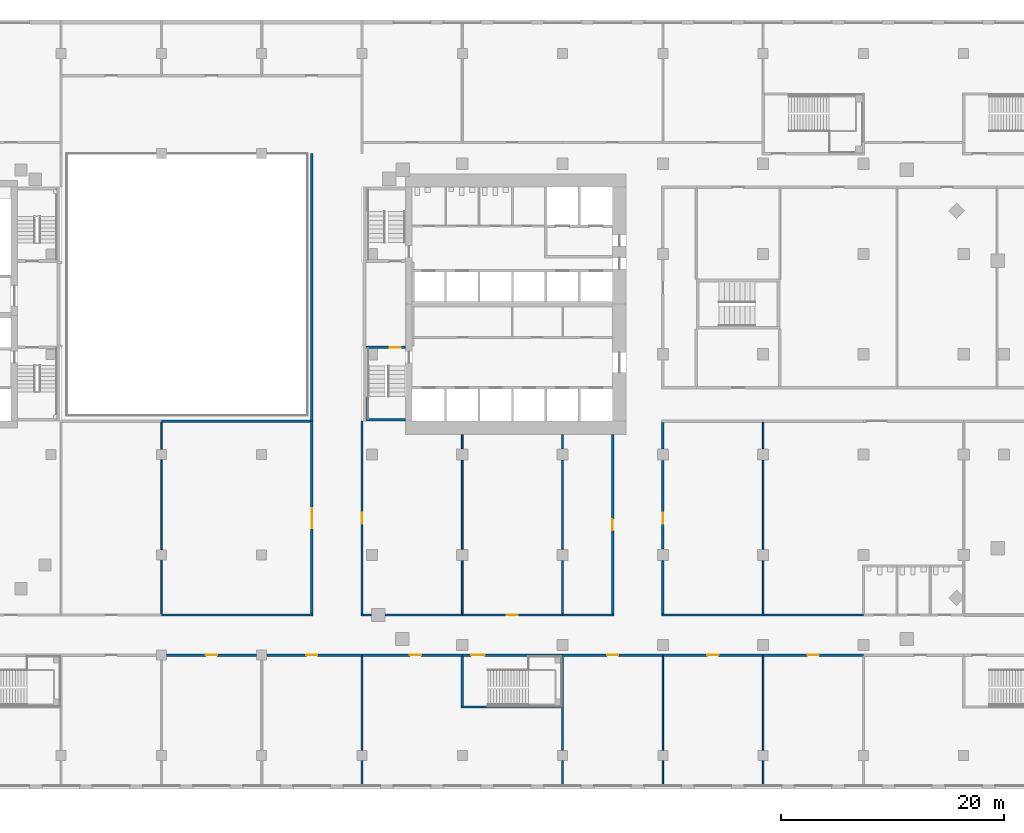
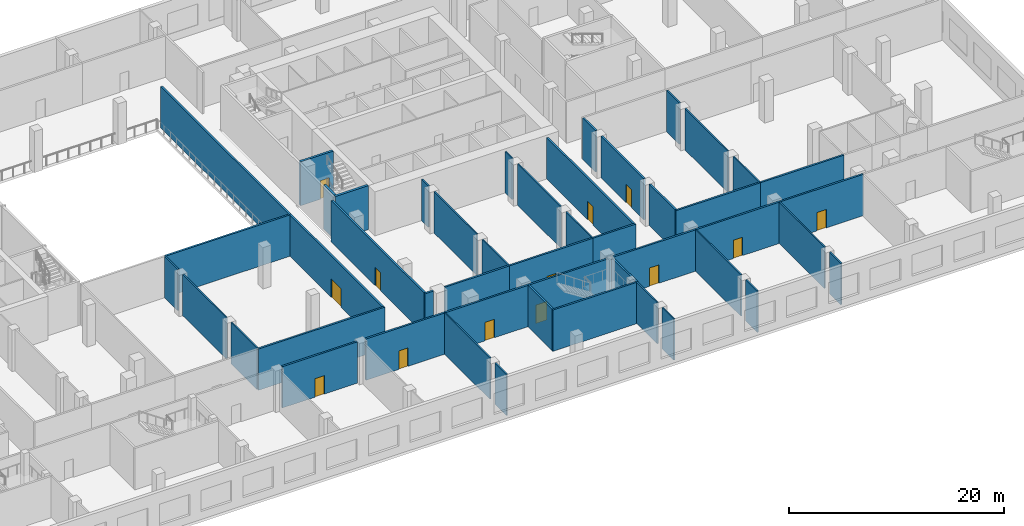
# One storey, part 9 of 21: 48 walls, 13 doors, 13 openings.
"""IFC4 building model written with IfcOpenShell, lengths in metres."""

import ifcopenshell
import ifcopenshell.guid

model = None  # the IFC model being written
_history = None  # IfcOwnerHistory: only IFC2X3 demands one
_inside = {}  # id of a spatial element -> (the spatial element, [elements in it])
_under = {}  # id of a project, library or spatial element -> (it, [spatial elements below it])
_declared = {}  # id of a project -> (the project, [libraries it declares])
_typed = {}  # id of a type object -> (the type object, [elements of that type])
_made_of = {}  # id of a material, layer set ... -> (it, [elements and type objects made of it])


def new_model(schema):
    """Start an empty IFC model of exactly this schema.

    Asked for "IFC4X3", IfcOpenShell would pick the latest addendum, in which some entities
    have other attributes; the version numbers below select the first issue.
    IFC2X3 requires an IfcOwnerHistory on every rooted entity: one is made here for all.
    """
    global model, _history
    if schema == "IFC4X3":
        model = ifcopenshell.file(schema_version=(4, 3, 0, 0))
    else:
        model = ifcopenshell.file(schema=schema)
    _inside.clear()
    _under.clear()
    _declared.clear()
    _typed.clear()
    _made_of.clear()
    _history = None
    if model.schema == "IFC2X3":
        org = make("IfcOrganization", Name="unknown")
        user = make(
            "IfcPersonAndOrganization",
            ThePerson=make("IfcPerson", FamilyName="unknown"),
            TheOrganization=org,
        )
        app = make(
            "IfcApplication",
            ApplicationDeveloper=org,
            Version="unknown",
            ApplicationFullName="unknown",
            ApplicationIdentifier="unknown",
        )
        _history = make(
            "IfcOwnerHistory",
            OwningUser=user,
            OwningApplication=app,
            ChangeAction="ADDED",
            CreationDate=0,
        )
    return model


def make(cls, **values):
    """One entity of the class cls with the attributes given. An attribute that is None is left unset."""
    return model.create_entity(
        cls, **{name: value for name, value in values.items() if value is not None}
    )


def rooted(cls, **values):
    """An entity with a GlobalId (a new one), such as an element, a storey or a relation."""
    return make(cls, GlobalId=ifcopenshell.guid.new(), OwnerHistory=_history, **values)


def si_unit(unit_type, name, prefix=None):
    """IfcSIUnit, for example si_unit("LENGTHUNIT", "METRE", prefix="MILLI")."""
    return make("IfcSIUnit", UnitType=unit_type, Prefix=prefix, Name=name)


def assignment(units):
    """IfcUnitAssignment: the units of a project."""
    return None if units is None else make("IfcUnitAssignment", Units=units)


def point(xyz):
    """IfcCartesianPoint."""
    return None if xyz is None else make("IfcCartesianPoint", Coordinates=xyz)


def direction(xyz):
    """IfcDirection."""
    return None if xyz is None else make("IfcDirection", DirectionRatios=xyz)


def frame(location, z_axis=None, x_axis=None):
    """IfcAxis2Placement3D, a coordinate frame: its origin and axes. An axis left out is left unset."""
    return make(
        "IfcAxis2Placement3D",
        Location=point(location),
        Axis=direction(z_axis),
        RefDirection=direction(x_axis),
    )


def frame_2d(location, x_axis=None):
    """IfcAxis2Placement2D, a coordinate frame in the plane: its origin and x axis."""
    return make(
        "IfcAxis2Placement2D", Location=point(location), RefDirection=direction(x_axis)
    )


def origin():
    """The frame at (0, 0, 0) with its axes left unset."""
    return frame((0.0, 0.0, 0.0))


def origin_with_axes():
    """The frame at (0, 0, 0) with the z axis (0, 0, 1) and the x axis (1, 0, 0) written out."""
    return frame((0.0, 0.0, 0.0), z_axis=(0.0, 0.0, 1.0), x_axis=(1.0, 0.0, 0.0))


def place(relative_to, where):
    """IfcLocalPlacement: puts the frame where relative to a parent placement (None: the world)."""
    return make(
        "IfcLocalPlacement", PlacementRelTo=relative_to, RelativePlacement=where
    )


def context(
    kind, dimensions, precision=None, world=None, true_north=None, identifier=None
):
    """IfcGeometricRepresentationContext, for example the 3D "Model" context."""
    return make(
        "IfcGeometricRepresentationContext",
        ContextIdentifier=identifier,
        ContextType=kind,
        CoordinateSpaceDimension=dimensions,
        Precision=precision,
        WorldCoordinateSystem=world,
        TrueNorth=true_north,
    )


def subcontext(parent, identifier, kind, view, scale=None):
    """IfcGeometricRepresentationSubContext, for example "Body" below "Model"."""
    return make(
        "IfcGeometricRepresentationSubContext",
        ContextIdentifier=identifier,
        ContextType=kind,
        ParentContext=parent,
        TargetScale=scale,
        TargetView=view,
    )


def project(units=None, contexts=None):
    """IfcProject with its units and contexts."""
    return rooted(
        "IfcProject",
        Name="project",
        RepresentationContexts=contexts,
        UnitsInContext=assignment(units),
    )


def spatial(cls, under=None, at=None, **own):
    """A site, building, storey or space (cls), placed at a placement, below another one or the project."""
    s = rooted(cls, ObjectPlacement=at, **own)
    if under is not None:
        _under.setdefault(under.id(), (under, []))[1].append(s)
    return s


def profile(cls, at=None, kind="AREA", **sizes):
    """A parametric profile (cls). Its sizes go by their IFC names, for example OverallWidth=200.0."""
    return make(cls, ProfileType=kind, Position=at, **sizes)


def rectangle(**sizes):
    """IfcRectangleProfileDef."""
    return profile("IfcRectangleProfileDef", **sizes)


def extrude(swept, where, along, depth):
    """IfcExtrudedAreaSolid: the profile swept, set in the frame where, extruded along a direction by depth."""
    return make(
        "IfcExtrudedAreaSolid",
        SweptArea=swept,
        Position=where,
        ExtrudedDirection=direction(along),
        Depth=depth,
    )


def shape(context_of_items, identifier, shape_type, items):
    """IfcShapeRepresentation: the items that make up one representation, for example the "Body"."""
    return make(
        "IfcShapeRepresentation",
        ContextOfItems=context_of_items,
        RepresentationIdentifier=identifier,
        RepresentationType=shape_type,
        Items=items,
    )


def material(Name=None, Category=None):
    """IfcMaterial."""
    return make("IfcMaterial", Name=Name, Category=Category)


def layer(
    of_material, thickness, ventilated=None, Name=None, Category=None, Priority=None
):
    """IfcMaterialLayer: one layer of a wall or slab, of a material (None: an air gap)."""
    return make(
        "IfcMaterialLayer",
        Material=of_material,
        LayerThickness=thickness,
        IsVentilated=ventilated,
        Name=Name,
        Category=Category,
        Priority=Priority,
    )


def layer_set(layers, Name=None):
    """IfcMaterialLayerSet."""
    return make("IfcMaterialLayerSet", MaterialLayers=layers, LayerSetName=Name)


def made_of(thing, what):
    """Note that an element or type object is made of a material, layer set ...; save() writes the relation."""
    if what is not None:
        _made_of.setdefault(what.id(), (what, []))[1].append(thing)
    return thing


def type_object(cls, material=None, **own):
    """A type object (cls), such as IfcWallType, which elements share."""
    return made_of(rooted(cls, **own), material)


def element(
    cls,
    number,
    at=None,
    inside=None,
    cuts=None,
    type_object=None,
    material=None,
    context=None,
    identifier="Body",
    shape_type=None,
    held_by="IfcProductDefinitionShape",
    body=None,
    shapes=None,
    **own,
):
    """One element of the class cls, such as IfcWall. Its Tag is "e" and its number.

    at: its placement. inside: the storey or other place that contains it. cuts: it is an
    opening in that element (IfcRelVoidsElement). A single representation is given by context,
    identifier, shape_type and body (its items); several are given by shapes. held_by: the class
    of the entity that holds the representations. save() writes the other relations.
    """
    e = rooted(cls, Tag="e%d" % number, ObjectPlacement=at, **own)
    if body is not None:
        shapes = [shape(context, identifier, shape_type, body)]
    if shapes is not None:
        e.Representation = make(held_by, Representations=shapes)
    if inside is not None:
        _inside.setdefault(inside.id(), (inside, []))[1].append(e)
    if cuts is not None:
        rooted(
            "IfcRelVoidsElement", RelatingBuildingElement=cuts, RelatedOpeningElement=e
        )
    if type_object is not None:
        _typed.setdefault(type_object.id(), (type_object, []))[1].append(e)
    return made_of(e, material)


def fill(opening, filler):
    """IfcRelFillsElement: the door or window that sits in an opening."""
    return rooted(
        "IfcRelFillsElement",
        RelatingOpeningElement=opening,
        RelatedBuildingElement=filler,
    )


def aggregate(whole, parts):
    """IfcRelAggregates: a whole, such as a stair, and the parts it consists of."""
    return rooted("IfcRelAggregates", RelatingObject=whole, RelatedObjects=parts)


def save(model, path):
    """Write the relations noted so far, then the file.

    IfcRelAggregates (storeys below a building ...), IfcRelContainedInSpatialStructure (elements
    in a storey), IfcRelDefinesByType, IfcRelAssociatesMaterial and IfcRelDeclares: one each for
    every whole, place, type object, material and project.
    """
    for whole, parts in _under.values():
        aggregate(whole, parts)
    for where, things in _inside.values():
        rooted(
            "IfcRelContainedInSpatialStructure",
            RelatedElements=things,
            RelatingStructure=where,
        )
    for kind, things in _typed.values():
        rooted("IfcRelDefinesByType", RelatedObjects=things, RelatingType=kind)
    for what, things in _made_of.values():
        rooted("IfcRelAssociatesMaterial", RelatedObjects=things, RelatingMaterial=what)
    for by, libraries in _declared.values():
        rooted("IfcRelDeclares", RelatingContext=by, RelatedDefinitions=libraries)
    model.write(path)


model = new_model("IFC4")

# Units and contexts
model_context = context("Model", 3, precision=1e-05, world=origin(), true_north=direction((0.0, 1.0)))
body_context = subcontext(model_context, "Body", "Model", "MODEL_VIEW")
ifc_project = project(units=[si_unit("LENGTHUNIT", "METRE"), si_unit("AREAUNIT", "SQUARE_METRE"), si_unit("VOLUMEUNIT", "CUBIC_METRE"), si_unit("PLANEANGLEUNIT", "RADIAN"), si_unit("MASSUNIT", "GRAM", prefix="KILO")], contexts=[model_context])

# Site, building, storey
site_placement = place(None, origin())
site = spatial("IfcSite", under=ifc_project, at=site_placement, CompositionType="ELEMENT")
building_placement = place(site_placement, origin())
building = spatial("IfcBuilding", under=site, at=building_placement, Name="Cinnabar Reach Civic Tower", CompositionType="ELEMENT")
storey_placement = place(building_placement, frame((0.0, 0.0, 16.0)))
storey = spatial("IfcBuildingStorey", under=building, at=storey_placement, Name="L03", CompositionType="ELEMENT", Elevation=16.0)

# Wall, opening, door
ifc_material_1 = material(Name="Concrete blockwork", Category="masonry")
ifc_layer_1 = layer(ifc_material_1, 0.2)
ifc_layer_set_1 = layer_set([ifc_layer_1], Name="Podium masonry corridor wall 200 EI 120")
wall_type_1 = type_object("IfcWallType", Name="Podium masonry corridor wall 200 EI 120", PredefinedType="PARTITIONING", material=ifc_layer_set_1)
wall_1_placement = place(storey_placement, origin_with_axes())
wall_1 = element("IfcWall", 1, at=wall_1_placement, inside=storey, type_object=wall_type_1, Name="Wall L03 50", PredefinedType="PARTITIONING", context=body_context, shape_type="SweptSolid", body=[
    extrude(rectangle(XDim=9.0, YDim=0.2, at=frame_2d((4.5, 0.0))), origin(), (0.0, 0.0, 1.0), 4.7),
])
opening_1_placement = place(wall_1_placement, frame((4.3, 0.0, 0.0)))
opening_1 = element("IfcOpeningElement", 2, at=opening_1_placement, cuts=wall_1, Name="Opening D1173", PredefinedType="OPENING", context=body_context, shape_type="SweptSolid", body=[
    extrude(rectangle(XDim=1.0, YDim=2.1, at=frame_2d((0.5, 1.05))), frame((0.0, 0.11, 0.0), z_axis=(0.0, -1.0, 0.0), x_axis=(1.0, 0.0, 0.0)), (0.0, 0.0, 1.0), 0.22),
])
ifc_material_2 = material(Name="Painted steel door leaf", Category="steel")
door_type_1 = type_object("IfcDoorType", Name="Podium single door 1000x2100", OperationType="SINGLE_SWING_LEFT", PredefinedType="DOOR", material=ifc_material_2)
door_1_placement = place(opening_1_placement, frame((1.0, 0.0, 0.0), z_axis=(0.0, 0.0, 1.0), x_axis=(-1.0, 0.0, 0.0)))
door_1 = element("IfcDoor", 3, at=door_1_placement, inside=storey, type_object=door_type_1, Name="Door D1173", OperationType="SINGLE_SWING_RIGHT", OverallHeight=2.1, OverallWidth=1.0, PredefinedType="DOOR", context=body_context, shape_type="SweptSolid", body=[
    extrude(rectangle(XDim=1.0, YDim=2.1, at=frame_2d((0.5, 1.05))), frame((0.0, 0.025, 0.0), z_axis=(0.0, -1.0, 0.0), x_axis=(1.0, 0.0, 0.0)), (0.0, 0.0, 1.0), 0.05),
])
fill(opening_1, door_1)

wall_2_placement = place(storey_placement, frame((18.0, 0.0, 0.0), z_axis=(0.0, 0.0, 1.0), x_axis=(1.0, 0.0, 0.0)))
wall_2 = element("IfcWall", 4, at=wall_2_placement, inside=storey, type_object=wall_type_1, Name="Wall L03 51", PredefinedType="PARTITIONING", context=body_context, shape_type="SweptSolid", body=[
    extrude(rectangle(XDim=9.0, YDim=0.2, at=frame_2d((4.5, 0.0))), origin(), (0.0, 0.0, 1.0), 4.7),
])
opening_2_placement = place(wall_2_placement, frame((4.0, 0.0, 0.0)))
opening_2 = element("IfcOpeningElement", 5, at=opening_2_placement, cuts=wall_2, Name="Opening D1174", PredefinedType="OPENING", context=body_context, shape_type="SweptSolid", body=[
    extrude(rectangle(XDim=1.0, YDim=2.1, at=frame_2d((0.5, 1.05))), frame((0.0, 0.11, 0.0), z_axis=(0.0, -1.0, 0.0), x_axis=(1.0, 0.0, 0.0)), (0.0, 0.0, 1.0), 0.22),
])
door_2_placement = place(opening_2_placement, frame((1.0, 0.0, 0.0), z_axis=(0.0, 0.0, 1.0), x_axis=(-1.0, 0.0, 0.0)))
door_2 = element("IfcDoor", 6, at=door_2_placement, inside=storey, type_object=door_type_1, Name="Door D1174", OperationType="SINGLE_SWING_LEFT", OverallHeight=2.1, OverallWidth=1.0, PredefinedType="DOOR", context=body_context, shape_type="SweptSolid", body=[
    extrude(rectangle(XDim=1.0, YDim=2.1, at=frame_2d((0.5, 1.05))), frame((0.0, 0.025, 0.0), z_axis=(0.0, -1.0, 0.0), x_axis=(1.0, 0.0, 0.0)), (0.0, 0.0, 1.0), 0.05),
])
fill(opening_2, door_2)

wall_3_placement = place(storey_placement, frame((27.0, 0.0, 0.0), z_axis=(0.0, 0.0, 1.0), x_axis=(1.0, 0.0, 0.0)))
wall_3 = element("IfcWall", 7, at=wall_3_placement, inside=storey, type_object=wall_type_1, Name="Wall L03 52", PredefinedType="PARTITIONING", context=body_context, shape_type="SweptSolid", body=[
    extrude(rectangle(XDim=9.0, YDim=0.2, at=frame_2d((4.5, 0.0))), origin(), (0.0, 0.0, 1.0), 4.7),
])
opening_3_placement = place(wall_3_placement, frame((4.0, 0.0, 0.0)))
opening_3 = element("IfcOpeningElement", 8, at=opening_3_placement, cuts=wall_3, Name="Opening D1175", PredefinedType="OPENING", context=body_context, shape_type="SweptSolid", body=[
    extrude(rectangle(XDim=1.0, YDim=2.1, at=frame_2d((0.5, 1.05))), frame((0.0, 0.11, 0.0), z_axis=(0.0, -1.0, 0.0), x_axis=(1.0, 0.0, 0.0)), (0.0, 0.0, 1.0), 0.22),
])
door_3_placement = place(opening_3_placement, frame((1.0, 0.0, 0.0), z_axis=(0.0, 0.0, 1.0), x_axis=(-1.0, 0.0, 0.0)))
door_3 = element("IfcDoor", 9, at=door_3_placement, inside=storey, type_object=door_type_1, Name="Door D1175", OperationType="SINGLE_SWING_LEFT", OverallHeight=2.1, OverallWidth=1.0, PredefinedType="DOOR", context=body_context, shape_type="SweptSolid", body=[
    extrude(rectangle(XDim=1.0, YDim=2.1, at=frame_2d((0.5, 1.05))), frame((0.0, 0.025, 0.0), z_axis=(0.0, -1.0, 0.0), x_axis=(1.0, 0.0, 0.0)), (0.0, 0.0, 1.0), 0.05),
])
fill(opening_3, door_3)

wall_4_placement = place(storey_placement, frame((36.0, 0.0, 0.0), z_axis=(0.0, 0.0, 1.0), x_axis=(1.0, 0.0, 0.0)))
wall_4 = element("IfcWall", 10, at=wall_4_placement, inside=storey, type_object=wall_type_1, Name="Wall L03 53", PredefinedType="PARTITIONING", context=body_context, shape_type="SweptSolid", body=[
    extrude(rectangle(XDim=9.0, YDim=0.2, at=frame_2d((4.5, 0.0))), origin(), (0.0, 0.0, 1.0), 4.7),
])
opening_4_placement = place(wall_4_placement, frame((4.0, 0.0, 0.0)))
opening_4 = element("IfcOpeningElement", 11, at=opening_4_placement, cuts=wall_4, Name="Opening D1176", PredefinedType="OPENING", context=body_context, shape_type="SweptSolid", body=[
    extrude(rectangle(XDim=1.0, YDim=2.1, at=frame_2d((0.5, 1.05))), frame((0.0, 0.11, 0.0), z_axis=(0.0, -1.0, 0.0), x_axis=(1.0, 0.0, 0.0)), (0.0, 0.0, 1.0), 0.22),
])
door_4_placement = place(opening_4_placement, frame((1.0, 0.0, 0.0), z_axis=(0.0, 0.0, 1.0), x_axis=(-1.0, 0.0, 0.0)))
door_4 = element("IfcDoor", 12, at=door_4_placement, inside=storey, type_object=door_type_1, Name="Door D1176", OperationType="SINGLE_SWING_RIGHT", OverallHeight=2.1, OverallWidth=1.0, PredefinedType="DOOR", context=body_context, shape_type="SweptSolid", body=[
    extrude(rectangle(XDim=1.0, YDim=2.1, at=frame_2d((0.5, 1.05))), frame((0.0, 0.025, 0.0), z_axis=(0.0, -1.0, 0.0), x_axis=(1.0, 0.0, 0.0)), (0.0, 0.0, 1.0), 0.05),
])
fill(opening_4, door_4)

# Walls
wall_5_placement = place(storey_placement, frame((-0.1, 3.6, 0.0), z_axis=(0.0, 0.0, 1.0), x_axis=(1.0, 0.0, 0.0)))
element("IfcWall", 13, at=wall_5_placement, inside=storey, type_object=wall_type_1, Name="Wall L03 55", PredefinedType="PARTITIONING", context=body_context, shape_type="SweptSolid", body=[
    extrude(rectangle(XDim=0.9331, YDim=0.2, at=frame_2d((0.4666, 0.0))), origin(), (0.0, 0.0, 1.0), 4.7),
])
wall_6_placement = place(storey_placement, frame((2.0731, 3.6, 0.0), z_axis=(0.0, 0.0, 1.0), x_axis=(1.0, 0.0, 0.0)))
element("IfcWall", 14, at=wall_6_placement, inside=storey, type_object=wall_type_1, Name="Wall L03 56", PredefinedType="PARTITIONING", context=body_context, shape_type="SweptSolid", body=[
    extrude(rectangle(XDim=6.9269, YDim=0.2, at=frame_2d((3.4634, 0.0))), origin(), (0.0, 0.0, 1.0), 4.7),
])

# Wall, opening, door
wall_7_placement = place(storey_placement, frame((9.0, 3.6, 0.0), z_axis=(0.0, 0.0, 1.0), x_axis=(1.0, 0.0, 0.0)))
wall_7 = element("IfcWall", 15, at=wall_7_placement, inside=storey, type_object=wall_type_1, Name="Wall L03 57", PredefinedType="PARTITIONING", context=body_context, shape_type="SweptSolid", body=[
    extrude(rectangle(XDim=9.0, YDim=0.2, at=frame_2d((4.5, 0.0))), origin(), (0.0, 0.0, 1.0), 4.7),
])
opening_5_placement = place(wall_7_placement, frame((4.0, 0.0, 0.0)))
opening_5 = element("IfcOpeningElement", 16, at=opening_5_placement, cuts=wall_7, Name="Opening D1185", PredefinedType="OPENING", context=body_context, shape_type="SweptSolid", body=[
    extrude(rectangle(XDim=1.0, YDim=2.1, at=frame_2d((0.5, 1.05))), frame((0.0, 0.11, 0.0), z_axis=(0.0, -1.0, 0.0), x_axis=(1.0, 0.0, 0.0)), (0.0, 0.0, 1.0), 0.22),
])
door_5_placement = place(opening_5_placement, origin())
door_5 = element("IfcDoor", 17, at=door_5_placement, inside=storey, type_object=door_type_1, Name="Door D1185", OperationType="SINGLE_SWING_LEFT", OverallHeight=2.1, OverallWidth=1.0, PredefinedType="DOOR", context=body_context, shape_type="SweptSolid", body=[
    extrude(rectangle(XDim=1.0, YDim=2.1, at=frame_2d((0.5, 1.05))), frame((0.0, 0.025, 0.0), z_axis=(0.0, -1.0, 0.0), x_axis=(1.0, 0.0, 0.0)), (0.0, 0.0, 1.0), 0.05),
])
fill(opening_5, door_5)

# Walls
wall_8_placement = place(storey_placement, frame((18.0, 3.6, 0.0), z_axis=(0.0, 0.0, 1.0), x_axis=(1.0, 0.0, 0.0)))
element("IfcWall", 18, at=wall_8_placement, inside=storey, type_object=wall_type_1, Name="Wall L03 58", PredefinedType="PARTITIONING", context=body_context, shape_type="SweptSolid", body=[
    extrude(rectangle(XDim=4.6, YDim=0.2, at=frame_2d((2.3, 0.0))), origin(), (0.0, 0.0, 1.0), 4.7),
])
wall_9_placement = place(storey_placement, frame((26.9, 3.6, 0.0), z_axis=(0.0, 0.0, 1.0), x_axis=(1.0, 0.0, 0.0)))
element("IfcWall", 19, at=wall_9_placement, inside=storey, type_object=wall_type_1, Name="Wall L03 59", PredefinedType="PARTITIONING", context=body_context, shape_type="SweptSolid", body=[
    extrude(rectangle(XDim=9.1, YDim=0.2, at=frame_2d((4.55, 0.0))), origin(), (0.0, 0.0, 1.0), 4.7),
])
wall_10_placement = place(storey_placement, frame((36.0, 3.6, 0.0), z_axis=(0.0, 0.0, 1.0), x_axis=(1.0, 0.0, 0.0)))
element("IfcWall", 20, at=wall_10_placement, inside=storey, type_object=wall_type_1, Name="Wall L03 60", PredefinedType="PARTITIONING", context=body_context, shape_type="SweptSolid", body=[
    extrude(rectangle(XDim=9.0, YDim=0.2, at=frame_2d((4.5, 0.0))), origin(), (0.0, 0.0, 1.0), 4.7),
])

# Wall, opening, door
wall_11_placement = place(storey_placement, frame((22.5, 3.7, 0.0), z_axis=(0.0, 0.0, 1.0), x_axis=(0.0, 1.0, 0.0)))
wall_11 = element("IfcWall", 21, at=wall_11_placement, inside=storey, type_object=wall_type_1, Name="Wall L03 105", PredefinedType="PARTITIONING", context=body_context, shape_type="SweptSolid", body=[
    extrude(rectangle(XDim=16.1, YDim=0.2, at=frame_2d((8.05, 0.0))), origin(), (0.0, 0.0, 1.0), 4.7),
])
opening_6_placement = place(wall_11_placement, frame((7.5, 0.0, 0.0)))
opening_6 = element("IfcOpeningElement", 22, at=opening_6_placement, cuts=wall_11, Name="Opening D1186", PredefinedType="OPENING", context=body_context, shape_type="SweptSolid", body=[
    extrude(rectangle(XDim=1.0, YDim=2.1, at=frame_2d((0.5, 1.05))), frame((0.0, 0.11, 0.0), z_axis=(0.0, -1.0, 0.0), x_axis=(1.0, 0.0, 0.0)), (0.0, 0.0, 1.0), 0.22),
])
door_6_placement = place(opening_6_placement, origin())
door_6 = element("IfcDoor", 23, at=door_6_placement, inside=storey, type_object=door_type_1, Name="Door D1186", OperationType="SINGLE_SWING_RIGHT", OverallHeight=2.1, OverallWidth=1.0, PredefinedType="DOOR", context=body_context, shape_type="SweptSolid", body=[
    extrude(rectangle(XDim=1.0, YDim=2.1, at=frame_2d((0.5, 1.05))), frame((0.0, 0.025, 0.0), z_axis=(0.0, -1.0, 0.0), x_axis=(1.0, 0.0, 0.0)), (0.0, 0.0, 1.0), 0.05),
])
fill(opening_6, door_6)

# Wall
wall_12_placement = place(storey_placement, frame((27.0, 3.7, 0.0), z_axis=(0.0, 0.0, 1.0), x_axis=(0.0, 1.0, 0.0)))
element("IfcWall", 24, at=wall_12_placement, inside=storey, type_object=wall_type_1, Name="Wall L03 106", PredefinedType="PARTITIONING", context=body_context, shape_type="SweptSolid", body=[
    extrude(rectangle(XDim=4.78, YDim=0.2, at=frame_2d((2.39, 0.0))), origin(), (0.0, 0.0, 1.0), 4.7),
])

# Wall, opening, door
wall_13_placement = place(storey_placement, frame((27.0, 9.52, 0.0), z_axis=(0.0, 0.0, 1.0), x_axis=(0.0, 1.0, 0.0)))
wall_13 = element("IfcWall", 25, at=wall_13_placement, inside=storey, type_object=wall_type_1, Name="Wall L03 107", PredefinedType="PARTITIONING", context=body_context, shape_type="SweptSolid", body=[
    extrude(rectangle(XDim=7.96, YDim=0.2, at=frame_2d((3.98, 0.0))), origin(), (0.0, 0.0, 1.0), 4.7),
])
opening_7_placement = place(wall_13_placement, frame((2.28, 0.0, 0.0)))
opening_7 = element("IfcOpeningElement", 26, at=opening_7_placement, cuts=wall_13, Name="Opening D1187", PredefinedType="OPENING", context=body_context, shape_type="SweptSolid", body=[
    extrude(rectangle(XDim=1.0, YDim=2.1, at=frame_2d((0.5, 1.05))), frame((0.0, 0.11, 0.0), z_axis=(0.0, -1.0, 0.0), x_axis=(1.0, 0.0, 0.0)), (0.0, 0.0, 1.0), 0.22),
])
door_7_placement = place(opening_7_placement, frame((1.0, 0.0, 0.0), z_axis=(0.0, 0.0, 1.0), x_axis=(-1.0, 0.0, 0.0)))
door_7 = element("IfcDoor", 27, at=door_7_placement, inside=storey, type_object=door_type_1, Name="Door D1187", OperationType="SINGLE_SWING_RIGHT", OverallHeight=2.1, OverallWidth=1.0, PredefinedType="DOOR", context=body_context, shape_type="SweptSolid", body=[
    extrude(rectangle(XDim=1.0, YDim=2.1, at=frame_2d((0.5, 1.05))), frame((0.0, 0.025, 0.0), z_axis=(0.0, -1.0, 0.0), x_axis=(1.0, 0.0, 0.0)), (0.0, 0.0, 1.0), 0.05),
])
fill(opening_7, door_7)

# Walls
wall_14_placement = place(storey_placement, frame((27.0, 18.52, 0.0), z_axis=(0.0, 0.0, 1.0), x_axis=(0.0, 1.0, 0.0)))
element("IfcWall", 28, at=wall_14_placement, inside=storey, type_object=wall_type_1, Name="Wall L03 108", PredefinedType="PARTITIONING", context=body_context, shape_type="SweptSolid", body=[
    extrude(rectangle(XDim=2.38, YDim=0.2, at=frame_2d((1.19, 0.0))), origin(), (0.0, 0.0, 1.0), 4.7),
])
wall_15_placement = place(storey_placement, frame((-18.0, 3.6, 0.0), z_axis=(0.0, 0.0, 1.0), x_axis=(1.0, 0.0, 0.0)))
element("IfcWall", 29, at=wall_15_placement, inside=storey, type_object=wall_type_1, Name="Wall L03 122", PredefinedType="PARTITIONING", context=body_context, shape_type="SweptSolid", body=[
    extrude(rectangle(XDim=13.6, YDim=0.2, at=frame_2d((6.8, 0.0))), origin(), (0.0, 0.0, 1.0), 4.7),
])

# Wall, opening, door
wall_16_placement = place(storey_placement, frame((-17.53, 0.0, 0.0), z_axis=(0.0, 0.0, 1.0), x_axis=(1.0, 0.0, 0.0)))
wall_16 = element("IfcWall", 30, at=wall_16_placement, inside=storey, type_object=wall_type_1, Name="Wall L03 124", PredefinedType="PARTITIONING", context=body_context, shape_type="SweptSolid", body=[
    extrude(rectangle(XDim=8.06, YDim=0.2, at=frame_2d((4.03, 0.0))), origin(), (0.0, 0.0, 1.0), 4.7),
])
opening_8_placement = place(wall_16_placement, frame((3.53, 0.0, 0.0)))
opening_8 = element("IfcOpeningElement", 31, at=opening_8_placement, cuts=wall_16, Name="Opening D1168", PredefinedType="OPENING", context=body_context, shape_type="SweptSolid", body=[
    extrude(rectangle(XDim=1.0, YDim=2.1, at=frame_2d((0.5, 1.05))), frame((0.0, 0.11, 0.0), z_axis=(0.0, -1.0, 0.0), x_axis=(1.0, 0.0, 0.0)), (0.0, 0.0, 1.0), 0.22),
])
door_8_placement = place(opening_8_placement, frame((1.0, 0.0, 0.0), z_axis=(0.0, 0.0, 1.0), x_axis=(-1.0, 0.0, 0.0)))
door_8 = element("IfcDoor", 32, at=door_8_placement, inside=storey, type_object=door_type_1, Name="Door D1168", OperationType="SINGLE_SWING_LEFT", OverallHeight=2.1, OverallWidth=1.0, PredefinedType="DOOR", context=body_context, shape_type="SweptSolid", body=[
    extrude(rectangle(XDim=1.0, YDim=2.1, at=frame_2d((0.5, 1.05))), frame((0.0, 0.025, 0.0), z_axis=(0.0, -1.0, 0.0), x_axis=(1.0, 0.0, 0.0)), (0.0, 0.0, 1.0), 0.05),
])
fill(opening_8, door_8)

wall_17_placement = place(storey_placement, frame((-8.53, 0.0, 0.0), z_axis=(0.0, 0.0, 1.0), x_axis=(1.0, 0.0, 0.0)))
wall_17 = element("IfcWall", 33, at=wall_17_placement, inside=storey, type_object=wall_type_1, Name="Wall L03 125", PredefinedType="PARTITIONING", context=body_context, shape_type="SweptSolid", body=[
    extrude(rectangle(XDim=8.53, YDim=0.2, at=frame_2d((4.265, 0.0))), origin(), (0.0, 0.0, 1.0), 4.7),
])
opening_9_placement = place(wall_17_placement, frame((3.53, 0.0, 0.0)))
opening_9 = element("IfcOpeningElement", 34, at=opening_9_placement, cuts=wall_17, Name="Opening D1169", PredefinedType="OPENING", context=body_context, shape_type="SweptSolid", body=[
    extrude(rectangle(XDim=1.0, YDim=2.1, at=frame_2d((0.5, 1.05))), frame((0.0, 0.11, 0.0), z_axis=(0.0, -1.0, 0.0), x_axis=(1.0, 0.0, 0.0)), (0.0, 0.0, 1.0), 0.22),
])
door_9_placement = place(opening_9_placement, frame((1.0, 0.0, 0.0), z_axis=(0.0, 0.0, 1.0), x_axis=(-1.0, 0.0, 0.0)))
door_9 = element("IfcDoor", 35, at=door_9_placement, inside=storey, type_object=door_type_1, Name="Door D1169", OperationType="SINGLE_SWING_LEFT", OverallHeight=2.1, OverallWidth=1.0, PredefinedType="DOOR", context=body_context, shape_type="SweptSolid", body=[
    extrude(rectangle(XDim=1.0, YDim=2.1, at=frame_2d((0.5, 1.05))), frame((0.0, 0.025, 0.0), z_axis=(0.0, -1.0, 0.0), x_axis=(1.0, 0.0, 0.0)), (0.0, 0.0, 1.0), 0.05),
])
fill(opening_9, door_9)

# Wall
wall_18_placement = place(storey_placement, frame((-4.5, 21.0, 0.0), z_axis=(0.0, 0.0, 1.0), x_axis=(0.0, 1.0, 0.0)))
element("IfcWall", 36, at=wall_18_placement, inside=storey, type_object=wall_type_1, Name="Wall L03 126", PredefinedType="PARTITIONING", context=body_context, shape_type="SweptSolid", body=[
    extrude(rectangle(XDim=24.0, YDim=0.2, at=frame_2d((12.0, 0.0))), origin(), (0.0, 0.0, 1.0), 4.7),
])

# Wall, opening, door
wall_19_placement = place(storey_placement, frame((-4.5, 3.7, 0.0), z_axis=(0.0, 0.0, 1.0), x_axis=(0.0, 1.0, 0.0)))
wall_19 = element("IfcWall", 37, at=wall_19_placement, inside=storey, type_object=wall_type_1, Name="Wall L03 127", PredefinedType="PARTITIONING", context=body_context, shape_type="SweptSolid", body=[
    extrude(rectangle(XDim=17.3, YDim=0.2, at=frame_2d((8.65, 0.0))), origin(), (0.0, 0.0, 1.0), 4.7),
])
opening_10_placement = place(wall_19_placement, frame((7.7, 0.0, 0.0)))
opening_10 = element("IfcOpeningElement", 38, at=opening_10_placement, cuts=wall_19, Name="Opening D1166", PredefinedType="OPENING", context=body_context, shape_type="SweptSolid", body=[
    extrude(rectangle(XDim=1.8, YDim=2.1, at=frame_2d((0.9, 1.05))), frame((0.0, 0.11, 0.0), z_axis=(0.0, -1.0, 0.0), x_axis=(1.0, 0.0, 0.0)), (0.0, 0.0, 1.0), 0.22),
])
door_type_2 = type_object("IfcDoorType", Name="Podium double door 1800x2100", OperationType="DOUBLE_DOOR_SINGLE_SWING", PredefinedType="DOOR", material=ifc_material_2)
door_10_placement = place(opening_10_placement, origin())
door_10 = element("IfcDoor", 39, at=door_10_placement, inside=storey, type_object=door_type_2, Name="Door D1166", OperationType="DOUBLE_DOOR_SINGLE_SWING", OverallHeight=2.1, OverallWidth=1.8, PredefinedType="DOOR", context=body_context, shape_type="SweptSolid", body=[
    extrude(rectangle(XDim=1.8, YDim=2.1, at=frame_2d((0.9, 1.05))), frame((0.0, 0.025, 0.0), z_axis=(0.0, -1.0, 0.0), x_axis=(1.0, 0.0, 0.0)), (0.0, 0.0, 1.0), 0.05),
])
fill(opening_10, door_10)

wall_20_placement = place(storey_placement, frame((0.0, 3.7, 0.0), z_axis=(0.0, 0.0, 1.0), x_axis=(0.0, 1.0, 0.0)))
wall_20 = element("IfcWall", 40, at=wall_20_placement, inside=storey, type_object=wall_type_1, Name="Wall L03 128", PredefinedType="PARTITIONING", context=body_context, shape_type="SweptSolid", body=[
    extrude(rectangle(XDim=17.3, YDim=0.2, at=frame_2d((8.65, 0.0))), origin(), (0.0, 0.0, 1.0), 4.7),
])
opening_11_placement = place(wall_20_placement, frame((8.1, 0.0, 0.0)))
opening_11 = element("IfcOpeningElement", 41, at=opening_11_placement, cuts=wall_20, Name="Opening D1184", PredefinedType="OPENING", context=body_context, shape_type="SweptSolid", body=[
    extrude(rectangle(XDim=1.0, YDim=2.1, at=frame_2d((0.5, 1.05))), frame((0.0, 0.11, 0.0), z_axis=(0.0, -1.0, 0.0), x_axis=(1.0, 0.0, 0.0)), (0.0, 0.0, 1.0), 0.22),
])
door_11_placement = place(opening_11_placement, frame((1.0, 0.0, 0.0), z_axis=(0.0, 0.0, 1.0), x_axis=(-1.0, 0.0, 0.0)))
door_11 = element("IfcDoor", 42, at=door_11_placement, inside=storey, type_object=door_type_1, Name="Door D1184", OperationType="SINGLE_SWING_RIGHT", OverallHeight=2.1, OverallWidth=1.0, PredefinedType="DOOR", context=body_context, shape_type="SweptSolid", body=[
    extrude(rectangle(XDim=1.0, YDim=2.1, at=frame_2d((0.5, 1.05))), frame((0.0, 0.025, 0.0), z_axis=(0.0, -1.0, 0.0), x_axis=(1.0, 0.0, 0.0)), (0.0, 0.0, 1.0), 0.05),
])
fill(opening_11, door_11)

# Walls
wall_21_placement = place(storey_placement, frame((-18.0, 21.0, 0.0), z_axis=(0.0, 0.0, 1.0), x_axis=(1.0, 0.0, 0.0)))
element("IfcWall", 43, at=wall_21_placement, inside=storey, type_object=wall_type_1, Name="Wall L03 130", PredefinedType="PARTITIONING", context=body_context, shape_type="SweptSolid", body=[
    extrude(rectangle(XDim=13.4, YDim=0.2, at=frame_2d((6.7, 0.0))), origin(), (0.0, 0.0, 1.0), 4.7),
])
ifc_material_3 = material(Name="Gypsum board on steel studs", Category="steel")
ifc_layer_2 = layer(ifc_material_3, 0.15)
ifc_layer_set_2 = layer_set([ifc_layer_2], Name="Podium partition wall 150 EI 90")
wall_type_2 = type_object("IfcWallType", Name="Podium partition wall 150 EI 90", PredefinedType="PARTITIONING", material=ifc_layer_set_2)
wall_22_placement = place(storey_placement, frame((-18.0, 3.7, 0.0), z_axis=(0.0, 0.0, 1.0), x_axis=(0.0, 1.0, 0.0)))
element("IfcWall", 44, at=wall_22_placement, inside=storey, type_object=wall_type_2, Name="Wall L03 144", PredefinedType="PARTITIONING", context=body_context, shape_type="SweptSolid", body=[
    extrude(rectangle(XDim=4.83, YDim=0.15, at=frame_2d((2.415, 0.0))), origin(), (0.0, 0.0, 1.0), 4.7),
])
wall_23_placement = place(storey_placement, frame((-18.0, 9.47, 0.0), z_axis=(0.0, 0.0, 1.0), x_axis=(0.0, 1.0, 0.0)))
element("IfcWall", 45, at=wall_23_placement, inside=storey, type_object=wall_type_2, Name="Wall L03 145", PredefinedType="PARTITIONING", context=body_context, shape_type="SweptSolid", body=[
    extrude(rectangle(XDim=8.06, YDim=0.15, at=frame_2d((4.03, 0.0))), origin(), (0.0, 0.0, 1.0), 4.7),
])
wall_24_placement = place(storey_placement, frame((-18.0, 18.47, 0.0), z_axis=(0.0, 0.0, 1.0), x_axis=(0.0, 1.0, 0.0)))
element("IfcWall", 46, at=wall_24_placement, inside=storey, type_object=wall_type_2, Name="Wall L03 146", PredefinedType="PARTITIONING", context=body_context, shape_type="SweptSolid", body=[
    extrude(rectangle(XDim=2.43, YDim=0.15, at=frame_2d((1.215, 0.0))), origin(), (0.0, 0.0, 1.0), 4.7),
])
wall_25_placement = place(storey_placement, frame((0.0, -11.6, 0.0), z_axis=(0.0, 0.0, 1.0), x_axis=(0.0, 1.0, 0.0)))
element("IfcWall", 47, at=wall_25_placement, inside=storey, type_object=wall_type_2, Name="Wall L03 154", PredefinedType="PARTITIONING", context=body_context, shape_type="SweptSolid", body=[
    extrude(rectangle(XDim=2.13, YDim=0.15, at=frame_2d((1.065, 0.0))), origin(), (0.0, 0.0, 1.0), 4.7),
])
wall_26_placement = place(storey_placement, frame((0.0, -8.53, 0.0), z_axis=(0.0, 0.0, 1.0), x_axis=(0.0, 1.0, 0.0)))
element("IfcWall", 48, at=wall_26_placement, inside=storey, type_object=wall_type_2, Name="Wall L03 155", PredefinedType="PARTITIONING", context=body_context, shape_type="SweptSolid", body=[
    extrude(rectangle(XDim=8.43, YDim=0.15, at=frame_2d((4.215, 0.0))), origin(), (0.0, 0.0, 1.0), 4.7),
])
wall_27_placement = place(storey_placement, frame((18.0, -11.6, 0.0), z_axis=(0.0, 0.0, 1.0), x_axis=(0.0, 1.0, 0.0)))
element("IfcWall", 49, at=wall_27_placement, inside=storey, type_object=wall_type_2, Name="Wall L03 160", PredefinedType="PARTITIONING", context=body_context, shape_type="SweptSolid", body=[
    extrude(rectangle(XDim=2.13, YDim=0.15, at=frame_2d((1.065, 0.0))), origin(), (0.0, 0.0, 1.0), 4.7),
])
wall_28_placement = place(storey_placement, frame((18.0, -8.53, 0.0), z_axis=(0.0, 0.0, 1.0), x_axis=(0.0, 1.0, 0.0)))
element("IfcWall", 50, at=wall_28_placement, inside=storey, type_object=wall_type_2, Name="Wall L03 161", PredefinedType="PARTITIONING", context=body_context, shape_type="SweptSolid", body=[
    extrude(rectangle(XDim=3.88, YDim=0.15, at=frame_2d((1.94, 0.0))), origin(), (0.0, 0.0, 1.0), 4.7),
])
wall_29_placement = place(storey_placement, frame((27.0, -11.6, 0.0), z_axis=(0.0, 0.0, 1.0), x_axis=(0.0, 1.0, 0.0)))
element("IfcWall", 51, at=wall_29_placement, inside=storey, type_object=wall_type_2, Name="Wall L03 162", PredefinedType="PARTITIONING", context=body_context, shape_type="SweptSolid", body=[
    extrude(rectangle(XDim=2.13, YDim=0.15, at=frame_2d((1.065, 0.0))), origin(), (0.0, 0.0, 1.0), 4.7),
])
wall_30_placement = place(storey_placement, frame((27.0, -8.53, 0.0), z_axis=(0.0, 0.0, 1.0), x_axis=(0.0, 1.0, 0.0)))
element("IfcWall", 52, at=wall_30_placement, inside=storey, type_object=wall_type_2, Name="Wall L03 163", PredefinedType="PARTITIONING", context=body_context, shape_type="SweptSolid", body=[
    extrude(rectangle(XDim=8.43, YDim=0.15, at=frame_2d((4.215, 0.0))), origin(), (0.0, 0.0, 1.0), 4.7),
])
wall_31_placement = place(storey_placement, frame((36.0, -11.6, 0.0), z_axis=(0.0, 0.0, 1.0), x_axis=(0.0, 1.0, 0.0)))
element("IfcWall", 53, at=wall_31_placement, inside=storey, type_object=wall_type_2, Name="Wall L03 164", PredefinedType="PARTITIONING", context=body_context, shape_type="SweptSolid", body=[
    extrude(rectangle(XDim=2.13, YDim=0.15, at=frame_2d((1.065, 0.0))), origin(), (0.0, 0.0, 1.0), 4.7),
])
wall_32_placement = place(storey_placement, frame((36.0, -8.53, 0.0), z_axis=(0.0, 0.0, 1.0), x_axis=(0.0, 1.0, 0.0)))
element("IfcWall", 54, at=wall_32_placement, inside=storey, type_object=wall_type_2, Name="Wall L03 165", PredefinedType="PARTITIONING", context=body_context, shape_type="SweptSolid", body=[
    extrude(rectangle(XDim=8.43, YDim=0.15, at=frame_2d((4.215, 0.0))), origin(), (0.0, 0.0, 1.0), 4.7),
])
wall_33_placement = place(storey_placement, frame((9.0, 3.7, 0.0), z_axis=(0.0, 0.0, 1.0), x_axis=(0.0, 1.0, 0.0)))
element("IfcWall", 55, at=wall_33_placement, inside=storey, type_object=wall_type_2, Name="Wall L03 181", PredefinedType="PARTITIONING", context=body_context, shape_type="SweptSolid", body=[
    extrude(rectangle(XDim=4.78, YDim=0.15, at=frame_2d((2.39, 0.0))), origin(), (0.0, 0.0, 1.0), 4.7),
])
wall_34_placement = place(storey_placement, frame((9.0, 9.52, 0.0), z_axis=(0.0, 0.0, 1.0), x_axis=(0.0, 1.0, 0.0)))
element("IfcWall", 56, at=wall_34_placement, inside=storey, type_object=wall_type_2, Name="Wall L03 182", PredefinedType="PARTITIONING", context=body_context, shape_type="SweptSolid", body=[
    extrude(rectangle(XDim=7.96, YDim=0.15, at=frame_2d((3.98, 0.0))), origin(), (0.0, 0.0, 1.0), 4.7),
])
wall_35_placement = place(storey_placement, frame((9.0, 18.52, 0.0), z_axis=(0.0, 0.0, 1.0), x_axis=(0.0, 1.0, 0.0)))
element("IfcWall", 57, at=wall_35_placement, inside=storey, type_object=wall_type_2, Name="Wall L03 183", PredefinedType="PARTITIONING", context=body_context, shape_type="SweptSolid", body=[
    extrude(rectangle(XDim=1.28, YDim=0.15, at=frame_2d((0.64, 0.0))), origin(), (0.0, 0.0, 1.0), 4.7),
])
wall_36_placement = place(storey_placement, frame((18.0, 3.7, 0.0), z_axis=(0.0, 0.0, 1.0), x_axis=(0.0, 1.0, 0.0)))
element("IfcWall", 58, at=wall_36_placement, inside=storey, type_object=wall_type_2, Name="Wall L03 184", PredefinedType="PARTITIONING", context=body_context, shape_type="SweptSolid", body=[
    extrude(rectangle(XDim=4.78, YDim=0.15, at=frame_2d((2.39, 0.0))), origin(), (0.0, 0.0, 1.0), 4.7),
])
wall_37_placement = place(storey_placement, frame((18.0, 9.52, 0.0), z_axis=(0.0, 0.0, 1.0), x_axis=(0.0, 1.0, 0.0)))
element("IfcWall", 59, at=wall_37_placement, inside=storey, type_object=wall_type_2, Name="Wall L03 185", PredefinedType="PARTITIONING", context=body_context, shape_type="SweptSolid", body=[
    extrude(rectangle(XDim=7.96, YDim=0.15, at=frame_2d((3.98, 0.0))), origin(), (0.0, 0.0, 1.0), 4.7),
])
wall_38_placement = place(storey_placement, frame((18.0, 18.52, 0.0), z_axis=(0.0, 0.0, 1.0), x_axis=(0.0, 1.0, 0.0)))
element("IfcWall", 60, at=wall_38_placement, inside=storey, type_object=wall_type_2, Name="Wall L03 186", PredefinedType="PARTITIONING", context=body_context, shape_type="SweptSolid", body=[
    extrude(rectangle(XDim=1.28, YDim=0.15, at=frame_2d((0.64, 0.0))), origin(), (0.0, 0.0, 1.0), 4.7),
])
wall_39_placement = place(storey_placement, frame((36.0, 3.7, 0.0), z_axis=(0.0, 0.0, 1.0), x_axis=(0.0, 1.0, 0.0)))
element("IfcWall", 61, at=wall_39_placement, inside=storey, type_object=wall_type_2, Name="Wall L03 187", PredefinedType="PARTITIONING", context=body_context, shape_type="SweptSolid", body=[
    extrude(rectangle(XDim=4.78, YDim=0.15, at=frame_2d((2.39, 0.0))), origin(), (0.0, 0.0, 1.0), 4.7),
])
wall_40_placement = place(storey_placement, frame((36.0, 9.52, 0.0), z_axis=(0.0, 0.0, 1.0), x_axis=(0.0, 1.0, 0.0)))
element("IfcWall", 62, at=wall_40_placement, inside=storey, type_object=wall_type_2, Name="Wall L03 188", PredefinedType="PARTITIONING", context=body_context, shape_type="SweptSolid", body=[
    extrude(rectangle(XDim=7.96, YDim=0.15, at=frame_2d((3.98, 0.0))), origin(), (0.0, 0.0, 1.0), 4.7),
])
wall_41_placement = place(storey_placement, frame((36.0, 18.52, 0.0), z_axis=(0.0, 0.0, 1.0), x_axis=(0.0, 1.0, 0.0)))
element("IfcWall", 63, at=wall_41_placement, inside=storey, type_object=wall_type_2, Name="Wall L03 189", PredefinedType="PARTITIONING", context=body_context, shape_type="SweptSolid", body=[
    extrude(rectangle(XDim=2.38, YDim=0.15, at=frame_2d((1.19, 0.0))), origin(), (0.0, 0.0, 1.0), 4.7),
])

# Wall, opening, door
ifc_material_4 = material(Name="Concrete C40", Category="concrete")
ifc_layer_3 = layer(ifc_material_4, 0.2)
ifc_layer_set_3 = layer_set([ifc_layer_3], Name="Podium stair shaft wall 200 EI 120")
wall_type_3 = type_object("IfcWallType", Name="Podium stair shaft wall 200 EI 120", PredefinedType="SOLIDWALL", material=ifc_layer_set_3)
wall_42_placement = place(storey_placement, frame((9.0, 0.0, 0.0), z_axis=(0.0, 0.0, 1.0), x_axis=(1.0, 0.0, 0.0)))
wall_42 = element("IfcWall", 64, at=wall_42_placement, inside=storey, type_object=wall_type_3, Name="Wall L03 9", PredefinedType="SOLIDWALL", context=body_context, shape_type="SweptSolid", body=[
    extrude(rectangle(XDim=9.0, YDim=0.2, at=frame_2d((4.5, 0.0))), origin(), (0.0, 0.0, 1.0), 4.7),
])
opening_12_placement = place(wall_42_placement, frame((0.8, 0.0, 0.0)))
opening_12 = element("IfcOpeningElement", 65, at=opening_12_placement, cuts=wall_42, Name="Opening D1215", PredefinedType="OPENING", context=body_context, shape_type="SweptSolid", body=[
    extrude(rectangle(XDim=1.2, YDim=2.1, at=frame_2d((0.6, 1.05))), frame((0.0, 0.11, 0.0), z_axis=(0.0, -1.0, 0.0), x_axis=(1.0, 0.0, 0.0)), (0.0, 0.0, 1.0), 0.22),
])
door_type_3 = type_object("IfcDoorType", Name="Podium single door 1200x2100", OperationType="SINGLE_SWING_LEFT", PredefinedType="DOOR", material=ifc_material_2)
door_12_placement = place(opening_12_placement, frame((1.2, 0.0, 0.0), z_axis=(0.0, 0.0, 1.0), x_axis=(-1.0, 0.0, 0.0)))
door_12 = element("IfcDoor", 66, at=door_12_placement, inside=storey, type_object=door_type_3, Name="Door D1215", OperationType="SINGLE_SWING_LEFT", OverallHeight=2.1, OverallWidth=1.2, PredefinedType="DOOR", context=body_context, shape_type="SweptSolid", body=[
    extrude(rectangle(XDim=1.2, YDim=2.1, at=frame_2d((0.6, 1.05))), frame((0.0, 0.025, 0.0), z_axis=(0.0, -1.0, 0.0), x_axis=(1.0, 0.0, 0.0)), (0.0, 0.0, 1.0), 0.05),
])
fill(opening_12, door_12)

# Walls
wall_43_placement = place(storey_placement, frame((8.9, -4.65, 0.0), z_axis=(0.0, 0.0, 1.0), x_axis=(1.0, 0.0, 0.0)))
element("IfcWall", 67, at=wall_43_placement, inside=storey, type_object=wall_type_3, Name="Wall L03 10", PredefinedType="SOLIDWALL", context=body_context, shape_type="SweptSolid", body=[
    extrude(rectangle(XDim=9.0, YDim=0.2, at=frame_2d((4.5, 0.0))), origin(), (0.0, 0.0, 1.0), 4.7),
])
wall_44_placement = place(storey_placement, frame((9.0, -4.55, 0.0), z_axis=(0.0, 0.0, 1.0), x_axis=(0.0, 1.0, 0.0)))
element("IfcWall", 68, at=wall_44_placement, inside=storey, type_object=wall_type_3, Name="Wall L03 11", PredefinedType="SOLIDWALL", context=body_context, shape_type="SweptSolid", body=[
    extrude(rectangle(XDim=4.45, YDim=0.2, at=frame_2d((2.225, 0.0))), origin(), (0.0, 0.0, 1.0), 4.7),
])
wall_45_placement = place(storey_placement, frame((18.0, -4.65, 0.0), z_axis=(0.0, 0.0, 1.0), x_axis=(0.0, 1.0, 0.0)))
element("IfcWall", 69, at=wall_45_placement, inside=storey, type_object=wall_type_3, Name="Wall L03 12", PredefinedType="SOLIDWALL", context=body_context, shape_type="SweptSolid", body=[
    extrude(rectangle(XDim=4.55, YDim=0.2, at=frame_2d((2.275, 0.0))), origin(), (0.0, 0.0, 1.0), 4.7),
])
ifc_material_5 = material(Name="Concrete C60", Category="concrete")
ifc_layer_4 = layer(ifc_material_5, 0.25)
ifc_layer_set_4 = layer_set([ifc_layer_4], Name="Stair shaft wall 250 EI 120")
wall_type_4 = type_object("IfcWallType", Name="Stair shaft wall 250 EI 120", PredefinedType="SOLIDWALL", material=ifc_layer_set_4)
wall_46_placement = place(storey_placement, frame((0.36, 21.125, 0.0), z_axis=(0.0, 0.0, 1.0), x_axis=(1.0, 0.0, 0.0)))
element("IfcWall", 70, at=wall_46_placement, inside=storey, type_object=wall_type_4, Name="Stair shaft wall T1-S1 L03", PredefinedType="SOLIDWALL", context=body_context, shape_type="SweptSolid", body=[
    extrude(rectangle(XDim=3.54, YDim=0.25, at=frame_2d((1.77, 0.0))), origin(), (0.0, 0.0, 1.0), 5.0),
])

# Wall, opening, door
wall_47_placement = place(storey_placement, frame((3.9, 27.625, 0.0), z_axis=(0.0, 0.0, 1.0), x_axis=(-1.0, 0.0, 0.0)))
wall_47 = element("IfcWall", 71, at=wall_47_placement, inside=storey, type_object=wall_type_4, Name="Stair shaft wall T1-S1 L03", PredefinedType="SOLIDWALL", context=body_context, shape_type="SweptSolid", body=[
    extrude(rectangle(XDim=3.54, YDim=0.25, at=frame_2d((1.77, 0.0))), origin(), (0.0, 0.0, 1.0), 5.0),
])
opening_13_placement = place(wall_47_placement, frame((0.4, 0.0, 0.0)))
opening_13 = element("IfcOpeningElement", 72, at=opening_13_placement, cuts=wall_47, Name="Opening D3139", PredefinedType="OPENING", context=body_context, shape_type="SweptSolid", body=[
    extrude(rectangle(XDim=1.0, YDim=2.1, at=frame_2d((0.5, 1.05))), frame((0.0, 0.135, 0.0), z_axis=(0.0, -1.0, 0.0), x_axis=(1.0, 0.0, 0.0)), (0.0, 0.0, 1.0), 0.27),
])
ifc_material_6 = material(Name="Timber door leaf in steel frame", Category="steel")
door_type_4 = type_object("IfcDoorType", Name="Stair door 1000 x 2100 T1", OperationType="SINGLE_SWING_LEFT", PredefinedType="DOOR", material=ifc_material_6)
door_13_placement = place(opening_13_placement, origin())
door_13 = element("IfcDoor", 73, at=door_13_placement, inside=storey, type_object=door_type_4, Name="Door D3139", OperationType="SINGLE_SWING_LEFT", OverallHeight=2.1, OverallWidth=1.0, PredefinedType="DOOR", context=body_context, shape_type="SweptSolid", body=[
    extrude(rectangle(XDim=1.0, YDim=2.1, at=frame_2d((0.5, 1.05))), frame((0.0, 0.025, 0.0), z_axis=(0.0, -1.0, 0.0), x_axis=(1.0, 0.0, 0.0)), (0.0, 0.0, 1.0), 0.05),
])
fill(opening_13, door_13)

# Wall
ifc_material_7 = material(Name="Concrete C40/50", Category="concrete")
ifc_layer_5 = layer(ifc_material_7, 0.24)
ifc_layer_set_5 = layer_set([ifc_layer_5], Name="T1 landing bearer wall 240")
wall_type_5 = type_object("IfcWallType", Name="T1 landing bearer wall 240", PredefinedType="STANDARD", material=ifc_layer_set_5)
wall_48_placement = place(storey_placement, frame((0.48, 21.25, 0.0), z_axis=(0.0, 0.0, 1.0), x_axis=(0.0, 1.0, 0.0)))
element("IfcWall", 74, at=wall_48_placement, inside=storey, type_object=wall_type_5, Name="T1-S1 landing bearer wall", PredefinedType="STANDARD", context=body_context, shape_type="SweptSolid", body=[
    extrude(rectangle(XDim=1.955, YDim=0.24, at=frame_2d((0.9775, 0.0))), origin(), (0.0, 0.0, 1.0), 5.0),
])

save(model, "model.ifc")
